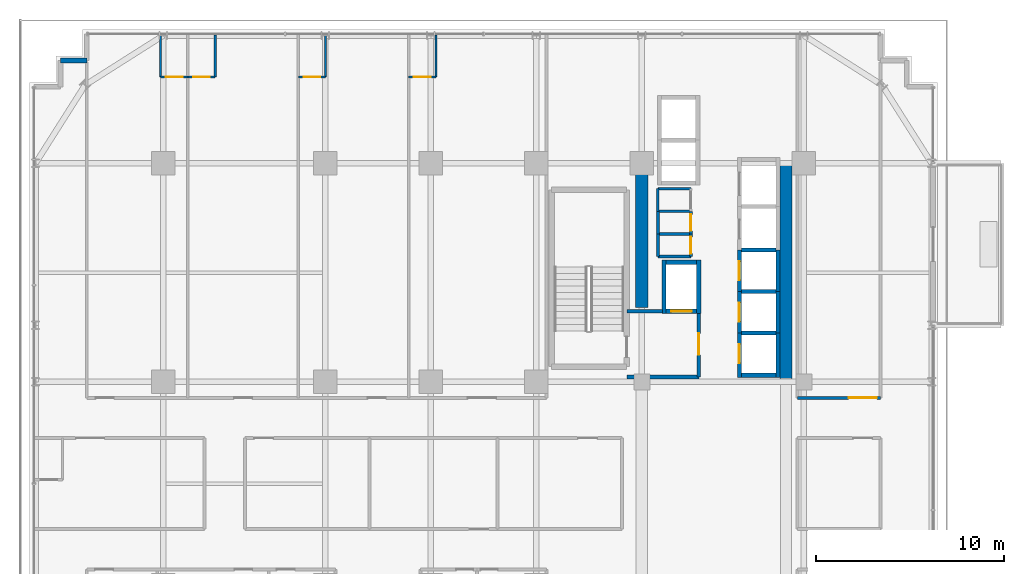
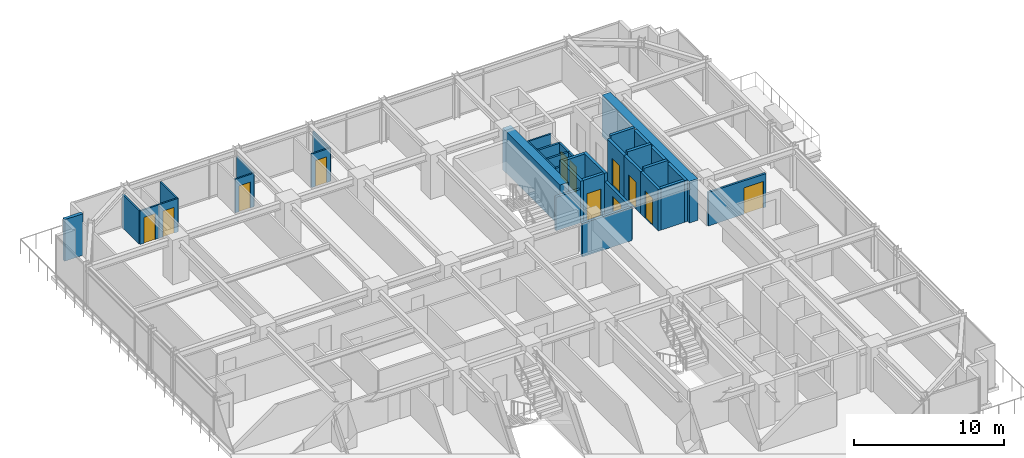
# One storey, part 29 of 34: 38 walls, 12 doors, 12 openings.
"""IFC4 building model written with IfcOpenShell, lengths in metres."""

from ifc_helpers import new_model, si_unit, direction, frame, frame_2d, origin, place, context, subcontext, project, spatial, rectangle, extrude, source, transform, mapped, material, layer, layer_set, type_object, element, fill, save


model = new_model("IFC4")

# Units and contexts
model_context = context("Model", 3, precision=1e-05, world=origin(), true_north=direction((0.0, 1.0)))
body_context = subcontext(model_context, "Body", "Model", "MODEL_VIEW")
ifc_project = project(units=[si_unit("LENGTHUNIT", "METRE"), si_unit("AREAUNIT", "SQUARE_METRE"), si_unit("VOLUMEUNIT", "CUBIC_METRE"), si_unit("PLANEANGLEUNIT", "RADIAN"), si_unit("MASSUNIT", "GRAM", prefix="KILO")], contexts=[model_context])

# Site, building, storey
site_placement = place(None, origin())
site = spatial("IfcSite", under=ifc_project, at=site_placement, CompositionType="ELEMENT")
building_placement = place(site_placement, origin())
building = spatial("IfcBuilding", under=site, at=building_placement, Name="Nahalor Promenade Grand Hotel", CompositionType="ELEMENT")
storey_placement = place(building_placement, frame((0.0, 0.0, 88.300048828125)))
storey = spatial("IfcBuildingStorey", under=building, at=storey_placement, Name="L21", CompositionType="ELEMENT", Elevation=88.300048828125)

# Walls
ifc_material_1 = material(Name="Concrete B-60 (C50/60)", Category="concrete")
ifc_layer_1 = layer(ifc_material_1, 0.64990234375)
ifc_layer_set_1 = layer_set([ifc_layer_1], Name="Concrete B-60 (C50/60)")
wall_type_1 = type_object("IfcWallType", Name="Wall-CoreShear-650", PredefinedType="SHEAR", material=ifc_layer_set_1)
shared_shape_1 = source(origin(), body_context, "Body", "SweptSolid", [
    extrude(rectangle(XDim=7.64990234375, YDim=0.64990234375, at=frame_2d((3.824951171875, 0.0))), origin(), (0.0, 0.0, 1.0), 3.3798828125),
])
wall_1_placement = place(storey_placement, frame((8.39990234375, 9.35009765625, 0.0), z_axis=(0.0, 0.0, 1.0), x_axis=(0.0, 1.0, 0.0)))
element("IfcWall", 1, at=wall_1_placement, inside=storey, type_object=wall_type_1, Name="CWALL-L21-NW", PredefinedType="SHEAR", context=body_context, shape_type="MappedRepresentation", body=[
    mapped(shared_shape_1, transform((0.0, 0.0, 0.0), scale=1.0)),
])
shared_shape_2 = source(origin(), body_context, "Body", "SweptSolid", [
    extrude(rectangle(XDim=11.60009765625, YDim=0.64990234375, at=frame_2d((5.800048828125, 0.0))), origin(), (0.0, 0.0, 1.0), 3.3798828125),
])
wall_2_placement = place(storey_placement, frame((16.050048828125, 5.39990234375, 0.0), z_axis=(0.0, 0.0, 1.0), x_axis=(0.0, 1.0, 0.0)))
element("IfcWall", 2, at=wall_2_placement, inside=storey, type_object=wall_type_1, Name="CWALL-L21-NE", PredefinedType="SHEAR", context=body_context, shape_type="MappedRepresentation", body=[
    mapped(shared_shape_2, transform((0.0, 0.0, 0.0), scale=1.0)),
])
ifc_material_2 = material(Name="Concrete B-50 (C40/50)", Category="concrete")
ifc_layer_2 = layer(ifc_material_2, 0.219970703125)
ifc_layer_set_2 = layer_set([ifc_layer_2], Name="Concrete B-50 (C40/50)")
wall_type_2 = type_object("IfcWallType", Name="Wall-LiftShaft-220", PredefinedType="SHEAR", material=ifc_layer_set_2)
shared_shape_3 = source(origin(), body_context, "Body", "SweptSolid", [
    extrude(rectangle(XDim=1.820068359375, YDim=0.219970703125, at=frame_2d((0.91015625, 0.0))), origin(), (0.0, 0.0, 1.0), 3.64990234375),
])
for number, where, z_axis, x_axis, name in (
    (3, (13.68994140625, 8.0, 0.0), (0.0, 0.0, 1.0), (1.0, 0.0, 0.0), "L21 Lift PL1 Hoistway Wall N"),
    (4, (13.68994140625, 10.199951171875, 0.0), (0.0, 0.0, 1.0), (1.0, 0.0, 0.0), "L21 Lift PL2 Hoistway Wall N"),
    (5, (13.68994140625, 12.39990234375, 0.0), (0.0, 0.0, 1.0), (1.0, 0.0, 0.0), "L21 Lift PL3 Hoistway Wall N"),
):
    element("IfcWall", number, at=place(storey_placement, frame(where, z_axis=z_axis, x_axis=x_axis)), inside=storey, type_object=wall_type_2, Name=name, PredefinedType="SHEAR", context=body_context, shape_type="MappedRepresentation", body=[
        mapped(shared_shape_3, transform((0.0, 0.0, 0.0), scale=1.0)),
    ])

# Wall, opening, door
shared_shape_4 = source(origin(), body_context, "Body", "SweptSolid", [
    extrude(rectangle(XDim=2.360107421875, YDim=0.219970703125, at=frame_2d((1.18017578125, 0.0))), origin(), (0.0, 0.0, 1.0), 3.3798828125),
])
wall_3_placement = place(storey_placement, frame((13.580078125, 5.639892578125, 0.0), z_axis=(0.0, 0.0, 1.0), x_axis=(0.0, 1.0, 0.0)))
wall_3 = element("IfcWall", 6, at=wall_3_placement, inside=storey, type_object=wall_type_2, Name="L21 Lift PL1 Hoistway Wall W", PredefinedType="SHEAR", context=body_context, shape_type="MappedRepresentation", body=[
    mapped(shared_shape_4, transform((0.0, 0.0, 0.0), scale=1.0)),
])
opening_1_placement = place(wall_3_placement, frame((0.760009765625, 0.0, 0.0)))
opening_1 = element("IfcOpeningElement", 7, at=opening_1_placement, cuts=wall_3, Name="Opening LD-01", PredefinedType="OPENING", context=body_context, shape_type="SweptSolid", body=[
    extrude(rectangle(XDim=1.0, YDim=2.199951171875, at=frame_2d((0.5, 1.10009765625))), frame((0.0, 0.119873046875, 0.0), z_axis=(0.0, -1.0, 0.0), x_axis=(1.0, 0.0, 0.0)), (0.0, 0.0, 1.0), 0.239990234375),
])
ifc_material_3 = material(Name="Steel S355JR", Category="steel")
door_type_1 = type_object("IfcDoorType", Name="Door-LiftLanding-1000", OperationType="DOUBLE_DOOR_SLIDING", PredefinedType="DOOR", material=ifc_material_3)
shared_shape_5 = source(origin(), body_context, "Body", "SweptSolid", [
    extrude(rectangle(XDim=1.0, YDim=2.199951171875, at=frame_2d((0.5, 1.10009765625))), frame((0.0, 0.02490234375, 0.0), z_axis=(0.0, -1.0, 0.0), x_axis=(1.0, 0.0, 0.0)), (0.0, 0.0, 1.0), 0.050048828125),
])
door_1_placement = place(opening_1_placement, origin())
door_1 = element("IfcDoor", 8, at=door_1_placement, inside=storey, type_object=door_type_1, Name="DR-LIFT-PL1-L21", OperationType="DOUBLE_DOOR_SLIDING", OverallHeight=2.199951171875, OverallWidth=1.0, PredefinedType="DOOR", context=body_context, shape_type="MappedRepresentation", body=[
    mapped(shared_shape_5, transform((0.0, 0.0, 0.0), scale=1.0)),
])
fill(opening_1, door_1)

# Walls
wall_4_placement = place(storey_placement, frame((15.6201171875, 5.639892578125, 0.0), z_axis=(0.0, 0.0, 1.0), x_axis=(0.0, 1.0, 0.0)))
element("IfcWall", 9, at=wall_4_placement, inside=storey, type_object=wall_type_2, Name="L21 Lift PL1 Hoistway Wall E", PredefinedType="SHEAR", context=body_context, shape_type="MappedRepresentation", body=[
    mapped(shared_shape_4, transform((0.0, 0.0, 0.0), scale=1.0)),
])
shared_shape_6 = source(origin(), body_context, "Body", "SweptSolid", [
    extrude(rectangle(XDim=1.820068359375, YDim=0.219970703125, at=frame_2d((0.91015625, 0.0))), origin(), (0.0, 0.0, 1.0), 3.3798828125),
])
wall_5_placement = place(storey_placement, frame((13.68994140625, 5.75, 0.0), z_axis=(0.0, 0.0, 1.0), x_axis=(1.0, 0.0, 0.0)))
element("IfcWall", 10, at=wall_5_placement, inside=storey, type_object=wall_type_2, Name="L21 Lift PL1 Hoistway Wall S", PredefinedType="SHEAR", context=body_context, shape_type="MappedRepresentation", body=[
    mapped(shared_shape_6, transform((0.0, 0.0, 0.0), scale=1.0)),
])

# Wall, opening, door
shared_shape_7 = source(origin(), body_context, "Body", "SweptSolid", [
    extrude(rectangle(XDim=2.199951171875, YDim=0.219970703125, at=frame_2d((1.10009765625, 0.0))), origin(), (0.0, 0.0, 1.0), 3.3798828125),
])
wall_6_placement = place(storey_placement, frame((13.580078125, 8.0, 0.0), z_axis=(0.0, 0.0, 1.0), x_axis=(0.0, 1.0, 0.0)))
wall_6 = element("IfcWall", 11, at=wall_6_placement, inside=storey, type_object=wall_type_2, Name="L21 Lift PL2 Hoistway Wall W", PredefinedType="SHEAR", context=body_context, shape_type="MappedRepresentation", body=[
    mapped(shared_shape_7, transform((0.0, 0.0, 0.0), scale=1.0)),
])
opening_2_placement = place(wall_6_placement, frame((0.60009765625, 0.0, 0.0)))
opening_2 = element("IfcOpeningElement", 12, at=opening_2_placement, cuts=wall_6, Name="Opening LD-01", PredefinedType="OPENING", context=body_context, shape_type="SweptSolid", body=[
    extrude(rectangle(XDim=1.0, YDim=2.199951171875, at=frame_2d((0.5, 1.10009765625))), frame((0.0, 0.119873046875, 0.0), z_axis=(0.0, -1.0, 0.0), x_axis=(1.0, 0.0, 0.0)), (0.0, 0.0, 1.0), 0.239990234375),
])
door_2_placement = place(opening_2_placement, origin())
door_2 = element("IfcDoor", 13, at=door_2_placement, inside=storey, type_object=door_type_1, Name="DR-LIFT-PL2-L21", OperationType="DOUBLE_DOOR_SLIDING", OverallHeight=2.199951171875, OverallWidth=1.0, PredefinedType="DOOR", context=body_context, shape_type="MappedRepresentation", body=[
    mapped(shared_shape_5, transform((0.0, 0.0, 0.0), scale=1.0)),
])
fill(opening_2, door_2)

# Wall
wall_7_placement = place(storey_placement, frame((15.6201171875, 8.0, 0.0), z_axis=(0.0, 0.0, 1.0), x_axis=(0.0, 1.0, 0.0)))
element("IfcWall", 14, at=wall_7_placement, inside=storey, type_object=wall_type_2, Name="L21 Lift PL2 Hoistway Wall E", PredefinedType="SHEAR", context=body_context, shape_type="MappedRepresentation", body=[
    mapped(shared_shape_7, transform((0.0, 0.0, 0.0), scale=1.0)),
])

# Wall, opening, door
wall_8_placement = place(storey_placement, frame((13.580078125, 10.199951171875, 0.0), z_axis=(0.0, 0.0, 1.0), x_axis=(0.0, 1.0, 0.0)))
wall_8 = element("IfcWall", 15, at=wall_8_placement, inside=storey, type_object=wall_type_2, Name="L21 Lift PL3 Hoistway Wall W", PredefinedType="SHEAR", context=body_context, shape_type="MappedRepresentation", body=[
    mapped(shared_shape_7, transform((0.0, 0.0, 0.0), scale=1.0)),
])
opening_3_placement = place(wall_8_placement, frame((0.60009765625, 0.0, 0.0)))
opening_3 = element("IfcOpeningElement", 16, at=opening_3_placement, cuts=wall_8, Name="Opening LD-01", PredefinedType="OPENING", context=body_context, shape_type="SweptSolid", body=[
    extrude(rectangle(XDim=1.0, YDim=2.199951171875, at=frame_2d((0.5, 1.10009765625))), frame((0.0, 0.119873046875, 0.0), z_axis=(0.0, -1.0, 0.0), x_axis=(1.0, 0.0, 0.0)), (0.0, 0.0, 1.0), 0.239990234375),
])
door_3_placement = place(opening_3_placement, origin())
door_3 = element("IfcDoor", 17, at=door_3_placement, inside=storey, type_object=door_type_1, Name="DR-LIFT-PL3-L21", OperationType="DOUBLE_DOOR_SLIDING", OverallHeight=2.199951171875, OverallWidth=1.0, PredefinedType="DOOR", context=body_context, shape_type="MappedRepresentation", body=[
    mapped(shared_shape_5, transform((0.0, 0.0, 0.0), scale=1.0)),
])
fill(opening_3, door_3)

# Walls
wall_9_placement = place(storey_placement, frame((15.6201171875, 10.199951171875, 0.0), z_axis=(0.0, 0.0, 1.0), x_axis=(0.0, 1.0, 0.0)))
element("IfcWall", 18, at=wall_9_placement, inside=storey, type_object=wall_type_2, Name="L21 Lift PL3 Hoistway Wall E", PredefinedType="SHEAR", context=body_context, shape_type="MappedRepresentation", body=[
    mapped(shared_shape_7, transform((0.0, 0.0, 0.0), scale=1.0)),
])
shared_shape_8 = source(origin(), body_context, "Body", "SweptSolid", [
    extrude(rectangle(XDim=2.820068359375, YDim=0.219970703125, at=frame_2d((1.41015625, 0.0))), origin(), (0.0, 0.0, 1.0), 3.3798828125),
])
for number, where, z_axis, x_axis, name in (
    (19, (9.580078125, 9.0400390625, 0.0), (0.0, 0.0, 1.0), (0.0, 1.0, 0.0), "L21 Lift FL1 Hoistway Wall W"),
    (20, (11.419921875, 9.0400390625, 0.0), (0.0, 0.0, 1.0), (0.0, 1.0, 0.0), "L21 Lift FL1 Hoistway Wall E"),
):
    element("IfcWall", number, at=place(storey_placement, frame(where, z_axis=z_axis, x_axis=x_axis)), inside=storey, type_object=wall_type_2, Name=name, PredefinedType="SHEAR", context=body_context, shape_type="MappedRepresentation", body=[
        mapped(shared_shape_8, transform((0.0, 0.0, 0.0), scale=1.0)),
    ])

# Wall, opening, door
shared_shape_9 = source(origin(), body_context, "Body", "SweptSolid", [
    extrude(rectangle(XDim=1.6201171875, YDim=0.219970703125, at=frame_2d((0.81005859375, 0.0))), origin(), (0.0, 0.0, 1.0), 3.3798828125),
])
wall_10_placement = place(storey_placement, frame((9.68994140625, 9.14990234375, 0.0), z_axis=(0.0, 0.0, 1.0), x_axis=(1.0, 0.0, 0.0)))
wall_10 = element("IfcWall", 21, at=wall_10_placement, inside=storey, type_object=wall_type_2, Name="L21 Lift FL1 Hoistway Wall S", PredefinedType="SHEAR", context=body_context, shape_type="MappedRepresentation", body=[
    mapped(shared_shape_9, transform((0.0, 0.0, 0.0), scale=1.0)),
])
opening_4_placement = place(wall_10_placement, frame((0.260009765625, 0.0, 0.0)))
opening_4 = element("IfcOpeningElement", 22, at=opening_4_placement, cuts=wall_10, Name="Opening LD-02", PredefinedType="OPENING", context=body_context, shape_type="SweptSolid", body=[
    extrude(rectangle(XDim=1.10009765625, YDim=2.199951171875, at=frame_2d((0.550048828125, 1.10009765625))), frame((0.0, 0.119873046875, 0.0), z_axis=(0.0, -1.0, 0.0), x_axis=(1.0, 0.0, 0.0)), (0.0, 0.0, 1.0), 0.239990234375),
])
door_type_2 = type_object("IfcDoorType", Name="Door-LiftFF-1100", OperationType="DOUBLE_DOOR_SLIDING", PredefinedType="DOOR", material=ifc_material_3)
shared_shape_10 = source(origin(), body_context, "Body", "SweptSolid", [
    extrude(rectangle(XDim=1.10009765625, YDim=2.199951171875, at=frame_2d((0.550048828125, 1.10009765625))), frame((0.0, 0.02490234375, 0.0), z_axis=(0.0, -1.0, 0.0), x_axis=(1.0, 0.0, 0.0)), (0.0, 0.0, 1.0), 0.050048828125),
])
door_4_placement = place(opening_4_placement, frame((1.10009765625, 0.0, 0.0), z_axis=(0.0, 0.0, 1.0), x_axis=(-1.0, 0.0, 0.0)))
door_4 = element("IfcDoor", 23, at=door_4_placement, inside=storey, type_object=door_type_2, Name="DR-LIFT-FL1-L21", OperationType="DOUBLE_DOOR_SLIDING", OverallHeight=2.199951171875, OverallWidth=1.10009765625, PredefinedType="DOOR", context=body_context, shape_type="MappedRepresentation", body=[
    mapped(shared_shape_10, transform((0.0, 0.0, 0.0), scale=1.0)),
])
fill(opening_4, door_4)

# Walls
wall_11_placement = place(storey_placement, frame((9.68994140625, 11.75, 0.0), z_axis=(0.0, 0.0, 1.0), x_axis=(1.0, 0.0, 0.0)))
element("IfcWall", 24, at=wall_11_placement, inside=storey, type_object=wall_type_2, Name="L21 Lift FL1 Hoistway Wall N", PredefinedType="SHEAR", context=body_context, shape_type="MappedRepresentation", body=[
    mapped(shared_shape_9, transform((0.0, 0.0, 0.0), scale=1.0)),
])
ifc_material_4 = material(Name="Concrete B-40 (C32/40)", Category="concrete")
ifc_layer_3 = layer(ifc_material_4, 0.25)
ifc_layer_set_3 = layer_set([ifc_layer_3], Name="Concrete B-40 (C32/40)")
wall_type_3 = type_object("IfcWallType", Name="Wall-BronzePier-250", PredefinedType="STANDARD", material=ifc_layer_set_3)
shared_shape_11 = source(origin(), body_context, "Body", "SweptSolid", [
    extrude(rectangle(XDim=1.39990234375, YDim=0.25, at=frame_2d((0.699951171875, 0.0))), origin(), (0.0, 0.0, 1.0), 3.3798828125),
])
wall_12_placement = place(storey_placement, frame((-22.4599609375, 22.4599609375, 0.0), z_axis=(0.0, 0.0, 1.0), x_axis=(1.0, 0.0, 0.0)))
element("IfcWall", 25, at=wall_12_placement, inside=storey, type_object=wall_type_3, Name="W-L21-SR-10", PredefinedType="STANDARD", context=body_context, shape_type="MappedRepresentation", body=[
    mapped(shared_shape_11, transform((0.0, 0.0, 0.0), scale=1.0)),
])
ifc_layer_4 = layer(ifc_material_4, 0.199951171875)
ifc_layer_set_4 = layer_set([ifc_layer_4], Name="Concrete B-40 (C32/40)")
wall_type_4 = type_object("IfcWallType", Name="Wall-PartFire-200", PredefinedType="PARTITIONING", material=ifc_layer_set_4)
shared_shape_12 = source(origin(), body_context, "Body", "SweptSolid", [
    extrude(rectangle(XDim=3.81982421875, YDim=0.199951171875, at=frame_2d((1.909912109375, 0.0))), origin(), (0.0, 0.0, 1.0), 2.719970703125),
])
wall_13_placement = place(storey_placement, frame((7.60009765625, 5.64990234375, 0.0), z_axis=(0.0, 0.0, 1.0), x_axis=(1.0, 0.0, 0.0)))
element("IfcWall", 26, at=wall_13_placement, inside=storey, type_object=wall_type_4, Name="W-L21-FF1-S", PredefinedType="PARTITIONING", context=body_context, shape_type="MappedRepresentation", body=[
    mapped(shared_shape_12, transform((0.0, 0.0, 0.0), scale=1.0)),
])
shared_shape_13 = source(origin(), body_context, "Body", "SweptSolid", [
    extrude(rectangle(XDim=1.89990234375, YDim=0.199951171875, at=frame_2d((0.949951171875, 0.0))), origin(), (0.0, 0.0, 1.0), 2.719970703125),
])
wall_14_placement = place(storey_placement, frame((7.60009765625, 9.14990234375, 0.0), z_axis=(0.0, 0.0, 1.0), x_axis=(1.0, 0.0, 0.0)))
element("IfcWall", 27, at=wall_14_placement, inside=storey, type_object=wall_type_4, Name="W-L21-FF1-N", PredefinedType="PARTITIONING", context=body_context, shape_type="MappedRepresentation", body=[
    mapped(shared_shape_13, transform((0.0, 0.0, 0.0), scale=1.0)),
])

# Wall, opening, door
shared_shape_14 = source(origin(), body_context, "Body", "SweptSolid", [
    extrude(rectangle(XDim=3.5, YDim=0.199951171875, at=frame_2d((1.75, 0.0))), origin(), (0.0, 0.0, 1.0), 2.719970703125),
])
wall_15_placement = place(storey_placement, frame((11.419921875, 5.64990234375, 0.0), z_axis=(0.0, 0.0, 1.0), x_axis=(0.0, 1.0, 0.0)))
wall_15 = element("IfcWall", 28, at=wall_15_placement, inside=storey, type_object=wall_type_4, Name="W-L21-FF1-E", PredefinedType="PARTITIONING", context=body_context, shape_type="MappedRepresentation", body=[
    mapped(shared_shape_14, transform((0.0, 0.0, 0.0), scale=1.0)),
])
opening_5_placement = place(wall_15_placement, frame((1.175048828125, 0.0, 0.0)))
opening_5 = element("IfcOpeningElement", 29, at=opening_5_placement, cuts=wall_15, Name="Opening D-FF1", PredefinedType="OPENING", context=body_context, shape_type="SweptSolid", body=[
    extrude(rectangle(XDim=1.14990234375, YDim=2.14990234375, at=frame_2d((0.574951171875, 1.074951171875))), frame((0.0, 0.10986328125, 0.0), z_axis=(0.0, -1.0, 0.0), x_axis=(1.0, 0.0, 0.0)), (0.0, 0.0, 1.0), 0.219970703125),
])
door_type_3 = type_object("IfcDoorType", Name="Door-FFLobby-1150", OperationType="NOTDEFINED", PredefinedType="DOOR", material=ifc_material_3)
shared_shape_15 = source(origin(), body_context, "Body", "SweptSolid", [
    extrude(rectangle(XDim=1.14990234375, YDim=2.14990234375, at=frame_2d((0.574951171875, 1.074951171875))), frame((0.0, 0.02490234375, 0.0), z_axis=(0.0, -1.0, 0.0), x_axis=(1.0, 0.0, 0.0)), (0.0, 0.0, 1.0), 0.050048828125),
])
door_5_placement = place(opening_5_placement, frame((1.14990234375, 0.0, 0.0), z_axis=(0.0, 0.0, 1.0), x_axis=(-1.0, 0.0, 0.0)))
door_5 = element("IfcDoor", 30, at=door_5_placement, inside=storey, type_object=door_type_3, Name="DR-L21-FFL1", OperationType="SINGLE_SWING_LEFT", OverallHeight=2.14990234375, OverallWidth=1.14990234375, PredefinedType="DOOR", context=body_context, shape_type="MappedRepresentation", body=[
    mapped(shared_shape_15, transform((0.0, 0.0, 0.0), scale=1.0)),
])
fill(opening_5, door_5)

# Walls
ifc_material_5 = material(Name="Acoustic Mineral Gypsum", Category="gypsum")
ifc_layer_5 = layer(ifc_material_5, 0.14990234375)
ifc_layer_set_5 = layer_set([ifc_layer_5], Name="Acoustic Mineral Gypsum")
wall_type_5 = type_object("IfcWallType", Name="Wall-PartService-150", PredefinedType="PARTITIONING", material=ifc_layer_set_5)
shared_shape_16 = source(origin(), body_context, "Body", "SweptSolid", [
    extrude(rectangle(XDim=1.75, YDim=0.14990234375, at=frame_2d((0.875, 0.0))), origin(), (0.0, 0.0, 1.0), 2.719970703125),
])
for number, where, z_axis, x_axis, name in (
    (31, (9.25, 12.050048828125, 0.0), (0.0, 0.0, 1.0), (1.0, 0.0, 0.0), "W-L21-CK3A-S"),
    (32, (9.25, 13.25, 0.0), (0.0, 0.0, 1.0), (1.0, 0.0, 0.0), "W-L21-CK3A-N"),
    (33, (9.25, 14.449951171875, 0.0), (0.0, 0.0, 1.0), (1.0, 0.0, 0.0), "W-L21-CK3B-N"),
):
    element("IfcWall", number, at=place(storey_placement, frame(where, z_axis=z_axis, x_axis=x_axis)), inside=storey, type_object=wall_type_5, Name=name, PredefinedType="PARTITIONING", context=body_context, shape_type="MappedRepresentation", body=[
        mapped(shared_shape_16, transform((0.0, 0.0, 0.0), scale=1.0)),
    ])
shared_shape_17 = source(origin(), body_context, "Body", "SweptSolid", [
    extrude(rectangle(XDim=1.199951171875, YDim=0.14990234375, at=frame_2d((0.60009765625, 0.0))), origin(), (0.0, 0.0, 1.0), 2.719970703125),
])
wall_16_placement = place(storey_placement, frame((9.25, 12.050048828125, 0.0), z_axis=(0.0, 0.0, 1.0), x_axis=(0.0, 1.0, 0.0)))
element("IfcWall", 34, at=wall_16_placement, inside=storey, type_object=wall_type_5, Name="W-L21-CK3A-W", PredefinedType="PARTITIONING", context=body_context, shape_type="MappedRepresentation", body=[
    mapped(shared_shape_17, transform((0.0, 0.0, 0.0), scale=1.0)),
])

# Wall, opening, door
wall_17_placement = place(storey_placement, frame((11.0, 12.050048828125, 0.0), z_axis=(0.0, 0.0, 1.0), x_axis=(0.0, 1.0, 0.0)))
wall_17 = element("IfcWall", 35, at=wall_17_placement, inside=storey, type_object=wall_type_5, Name="W-L21-CK3A-E", PredefinedType="PARTITIONING", context=body_context, shape_type="MappedRepresentation", body=[
    mapped(shared_shape_17, transform((0.0, 0.0, 0.0), scale=1.0)),
])
opening_6_placement = place(wall_17_placement, frame((0.159912109375, 0.0, 0.0)))
opening_6 = element("IfcOpeningElement", 36, at=opening_6_placement, cuts=wall_17, Name="Opening D-03", PredefinedType="OPENING", context=body_context, shape_type="SweptSolid", body=[
    extrude(rectangle(XDim=0.8798828125, YDim=2.10009765625, at=frame_2d((0.43994140625, 1.050048828125))), frame((0.0, 0.0849609375, 0.0), z_axis=(0.0, -1.0, 0.0), x_axis=(1.0, 0.0, 0.0)), (0.0, 0.0, 1.0), 0.169921875),
])
ifc_material_6 = material(Name="Fire-Rated Timber Composite", Category="wood")
door_type_4 = type_object("IfcDoorType", Name="Door-BathSwing-880", OperationType="NOTDEFINED", PredefinedType="DOOR", material=ifc_material_6)
shared_shape_18 = source(origin(), body_context, "Body", "SweptSolid", [
    extrude(rectangle(XDim=0.8798828125, YDim=2.10009765625, at=frame_2d((0.43994140625, 1.050048828125))), frame((0.0, 0.02490234375, 0.0), z_axis=(0.0, -1.0, 0.0), x_axis=(1.0, 0.0, 0.0)), (0.0, 0.0, 1.0), 0.050048828125),
])
door_6_placement = place(opening_6_placement, origin())
door_6 = element("IfcDoor", 37, at=door_6_placement, inside=storey, type_object=door_type_4, Name="DR-L21-CK3A", OperationType="SINGLE_SWING_LEFT", OverallHeight=2.10009765625, OverallWidth=0.8798828125, PredefinedType="DOOR", context=body_context, shape_type="MappedRepresentation", body=[
    mapped(shared_shape_18, transform((0.0, 0.0, 0.0), scale=1.0)),
])
fill(opening_6, door_6)

# Wall
wall_18_placement = place(storey_placement, frame((9.25, 13.25, 0.0), z_axis=(0.0, 0.0, 1.0), x_axis=(0.0, 1.0, 0.0)))
element("IfcWall", 38, at=wall_18_placement, inside=storey, type_object=wall_type_5, Name="W-L21-CK3B-W", PredefinedType="PARTITIONING", context=body_context, shape_type="MappedRepresentation", body=[
    mapped(shared_shape_17, transform((0.0, 0.0, 0.0), scale=1.0)),
])

# Wall, opening, door
wall_19_placement = place(storey_placement, frame((11.0, 13.25, 0.0), z_axis=(0.0, 0.0, 1.0), x_axis=(0.0, 1.0, 0.0)))
wall_19 = element("IfcWall", 39, at=wall_19_placement, inside=storey, type_object=wall_type_5, Name="W-L21-CK3B-E", PredefinedType="PARTITIONING", context=body_context, shape_type="MappedRepresentation", body=[
    mapped(shared_shape_17, transform((0.0, 0.0, 0.0), scale=1.0)),
])
opening_7_placement = place(wall_19_placement, frame((0.159912109375, 0.0, 0.0)))
opening_7 = element("IfcOpeningElement", 40, at=opening_7_placement, cuts=wall_19, Name="Opening D-03", PredefinedType="OPENING", context=body_context, shape_type="SweptSolid", body=[
    extrude(rectangle(XDim=0.8798828125, YDim=2.10009765625, at=frame_2d((0.43994140625, 1.050048828125))), frame((0.0, 0.0849609375, 0.0), z_axis=(0.0, -1.0, 0.0), x_axis=(1.0, 0.0, 0.0)), (0.0, 0.0, 1.0), 0.169921875),
])
door_7_placement = place(opening_7_placement, origin())
door_7 = element("IfcDoor", 41, at=door_7_placement, inside=storey, type_object=door_type_4, Name="DR-L21-CK3B", OperationType="SINGLE_SWING_RIGHT", OverallHeight=2.10009765625, OverallWidth=0.8798828125, PredefinedType="DOOR", context=body_context, shape_type="MappedRepresentation", body=[
    mapped(shared_shape_18, transform((0.0, 0.0, 0.0), scale=1.0)),
])
fill(opening_7, door_7)

# Walls
ifc_layer_6 = layer(ifc_material_5, 0.1201171875)
ifc_layer_set_6 = layer_set([ifc_layer_6], Name="Acoustic Mineral Gypsum")
wall_type_6 = type_object("IfcWallType", Name="Wall-PartBath-120", PredefinedType="PARTITIONING", material=ifc_layer_set_6)
shared_shape_19 = source(origin(), body_context, "Body", "SweptSolid", [
    extrude(rectangle(XDim=1.75, YDim=0.1201171875, at=frame_2d((0.875, 0.0))), origin(), (0.0, 0.0, 1.0), 2.719970703125),
])
wall_20_placement = place(storey_placement, frame((9.25, 15.64990234375, 0.0), z_axis=(0.0, 0.0, 1.0), x_axis=(1.0, 0.0, 0.0)))
element("IfcWall", 42, at=wall_20_placement, inside=storey, type_object=wall_type_6, Name="W-L21-CK3C-N", PredefinedType="PARTITIONING", context=body_context, shape_type="MappedRepresentation", body=[
    mapped(shared_shape_19, transform((0.0, 0.0, 0.0), scale=1.0)),
])
shared_shape_20 = source(origin(), body_context, "Body", "SweptSolid", [
    extrude(rectangle(XDim=1.199951171875, YDim=0.1201171875, at=frame_2d((0.60009765625, 0.0))), origin(), (0.0, 0.0, 1.0), 2.719970703125),
])
wall_21_placement = place(storey_placement, frame((9.25, 14.449951171875, 0.0), z_axis=(0.0, 0.0, 1.0), x_axis=(0.0, 1.0, 0.0)))
element("IfcWall", 43, at=wall_21_placement, inside=storey, type_object=wall_type_6, Name="W-L21-CK3C-W", PredefinedType="PARTITIONING", context=body_context, shape_type="MappedRepresentation", body=[
    mapped(shared_shape_20, transform((0.0, 0.0, 0.0), scale=1.0)),
])

# Wall, opening, door
ifc_layer_7 = layer(ifc_material_5, 0.159912109375)
ifc_layer_set_7 = layer_set([ifc_layer_7], Name="Acoustic Mineral Gypsum")
wall_type_7 = type_object("IfcWallType", Name="Wall-PartCorridor-160", PredefinedType="PARTITIONING", material=ifc_layer_set_7)
shared_shape_21 = source(origin(), body_context, "Body", "SweptSolid", [
    extrude(rectangle(XDim=4.41015625, YDim=0.159912109375, at=frame_2d((2.205078125, 0.0))), origin(), (0.0, 0.0, 1.0), 2.719970703125),
])
wall_22_placement = place(storey_placement, frame((16.64990234375, 4.550048828125, 0.0), z_axis=(0.0, 0.0, 1.0), x_axis=(1.0, 0.0, 0.0)))
wall_22 = element("IfcWall", 44, at=wall_22_placement, inside=storey, type_object=wall_type_7, Name="W-L21-ENE-S", PredefinedType="PARTITIONING", context=body_context, shape_type="MappedRepresentation", body=[
    mapped(shared_shape_21, transform((0.0, 0.0, 0.0), scale=1.0)),
])
opening_8_placement = place(wall_22_placement, frame((2.721923828125, 0.0, 0.0)))
opening_8 = element("IfcOpeningElement", 45, at=opening_8_placement, cuts=wall_22, Name="Opening D-02", PredefinedType="OPENING", context=body_context, shape_type="SweptSolid", body=[
    extrude(rectangle(XDim=1.5, YDim=2.14990234375, at=frame_2d((0.75, 1.074951171875))), frame((0.0, 0.08984375, 0.0), z_axis=(0.0, -1.0, 0.0), x_axis=(1.0, 0.0, 0.0)), (0.0, 0.0, 1.0), 0.179931640625),
])
door_type_5 = type_object("IfcDoorType", Name="Door-SuiteDouble-1500", OperationType="DOUBLE_DOOR_SINGLE_SWING", PredefinedType="DOOR", material=ifc_material_6)
shared_shape_22 = source(origin(), body_context, "Body", "SweptSolid", [
    extrude(rectangle(XDim=1.5, YDim=2.14990234375, at=frame_2d((0.75, 1.074951171875))), frame((0.0, 0.02490234375, 0.0), z_axis=(0.0, -1.0, 0.0), x_axis=(1.0, 0.0, 0.0)), (0.0, 0.0, 1.0), 0.050048828125),
])
door_8_placement = place(opening_8_placement, origin())
door_8 = element("IfcDoor", 46, at=door_8_placement, inside=storey, type_object=door_type_5, Name="DR-L21-ENE", OperationType="DOUBLE_DOOR_SINGLE_SWING", OverallHeight=2.14990234375, OverallWidth=1.5, PredefinedType="DOOR", context=body_context, shape_type="MappedRepresentation", body=[
    mapped(shared_shape_22, transform((0.0, 0.0, 0.0), scale=1.0)),
])
fill(opening_8, door_8)

shared_shape_23 = source(origin(), body_context, "Body", "SweptSolid", [
    extrude(rectangle(XDim=1.4501953125, YDim=0.1201171875, at=frame_2d((0.72509765625, 0.0))), origin(), (0.0, 0.0, 1.0), 2.719970703125),
])
wall_23_placement = place(storey_placement, frame((-17.14208984375, 21.580078125, 0.0), z_axis=(0.0, 0.0, 1.0), x_axis=(1.0, 0.0, 0.0)))
wall_23 = element("IfcWall", 47, at=wall_23_placement, inside=storey, type_object=wall_type_6, Name="W-L21-N1-BH", PredefinedType="PARTITIONING", context=body_context, shape_type="MappedRepresentation", body=[
    mapped(shared_shape_23, transform((0.0, 0.0, 0.0), scale=1.0)),
])
opening_9_placement = place(wall_23_placement, frame((0.284912109375, 0.0, 0.0)))
opening_9 = element("IfcOpeningElement", 48, at=opening_9_placement, cuts=wall_23, Name="Opening D-03", PredefinedType="OPENING", context=body_context, shape_type="SweptSolid", body=[
    extrude(rectangle(XDim=0.8798828125, YDim=2.10009765625, at=frame_2d((0.43994140625, 1.050048828125))), frame((0.0, 0.070068359375, 0.0), z_axis=(0.0, -1.0, 0.0), x_axis=(1.0, 0.0, 0.0)), (0.0, 0.0, 1.0), 0.14013671875),
])
door_9_placement = place(opening_9_placement, origin())
door_9 = element("IfcDoor", 49, at=door_9_placement, inside=storey, type_object=door_type_4, Name="DR-L21-N1-BATH", OperationType="SINGLE_SWING_RIGHT", OverallHeight=2.10009765625, OverallWidth=0.8798828125, PredefinedType="DOOR", context=body_context, shape_type="MappedRepresentation", body=[
    mapped(shared_shape_18, transform((0.0, 0.0, 0.0), scale=1.0)),
])
fill(opening_9, door_9)

# Walls
shared_shape_24 = source(origin(), body_context, "Body", "SweptSolid", [
    extrude(rectangle(XDim=2.219970703125, YDim=0.1201171875, at=frame_2d((1.10986328125, 0.0))), origin(), (0.0, 0.0, 1.0), 2.719970703125),
])
for number, where, z_axis, x_axis, name in (
    (50, (-17.14208984375, 21.580078125, 0.0), (0.0, 0.0, 1.0), (0.0, 1.0, 0.0), "W-L21-N1-BV"),
    (51, (-14.241943359375, 21.580078125, 0.0), (0.0, 0.0, 1.0), (0.0, 1.0, 0.0), "W-L21-N2-BV"),
    (52, (-8.385986328125, 21.580078125, 0.0), (0.0, 0.0, 1.0), (0.0, 1.0, 0.0), "W-L21-N3-BV"),
    (53, (-2.530029296875, 21.580078125, 0.0), (0.0, 0.0, 1.0), (0.0, 1.0, 0.0), "W-L21-N4-BV"),
):
    element("IfcWall", number, at=place(storey_placement, frame(where, z_axis=z_axis, x_axis=x_axis)), inside=storey, type_object=wall_type_6, Name=name, PredefinedType="PARTITIONING", context=body_context, shape_type="MappedRepresentation", body=[
        mapped(shared_shape_24, transform((0.0, 0.0, 0.0), scale=1.0)),
    ])

# Wall, opening, door
shared_shape_25 = source(origin(), body_context, "Body", "SweptSolid", [
    extrude(rectangle(XDim=1.449951171875, YDim=0.1201171875, at=frame_2d((0.72509765625, 0.0))), origin(), (0.0, 0.0, 1.0), 2.719970703125),
])
wall_24_placement = place(storey_placement, frame((-15.69189453125, 21.580078125, 0.0), z_axis=(0.0, 0.0, 1.0), x_axis=(1.0, 0.0, 0.0)))
wall_24 = element("IfcWall", 54, at=wall_24_placement, inside=storey, type_object=wall_type_6, Name="W-L21-N2-BH", PredefinedType="PARTITIONING", context=body_context, shape_type="MappedRepresentation", body=[
    mapped(shared_shape_25, transform((0.0, 0.0, 0.0), scale=1.0)),
])
opening_10_placement = place(wall_24_placement, frame((0.284912109375, 0.0, 0.0)))
opening_10 = element("IfcOpeningElement", 55, at=opening_10_placement, cuts=wall_24, Name="Opening D-03", PredefinedType="OPENING", context=body_context, shape_type="SweptSolid", body=[
    extrude(rectangle(XDim=0.8798828125, YDim=2.10009765625, at=frame_2d((0.43994140625, 1.050048828125))), frame((0.0, 0.070068359375, 0.0), z_axis=(0.0, -1.0, 0.0), x_axis=(1.0, 0.0, 0.0)), (0.0, 0.0, 1.0), 0.14013671875),
])
door_10_placement = place(opening_10_placement, origin())
door_10 = element("IfcDoor", 56, at=door_10_placement, inside=storey, type_object=door_type_4, Name="DR-L21-N2-BATH", OperationType="SINGLE_SWING_RIGHT", OverallHeight=2.10009765625, OverallWidth=0.8798828125, PredefinedType="DOOR", context=body_context, shape_type="MappedRepresentation", body=[
    mapped(shared_shape_18, transform((0.0, 0.0, 0.0), scale=1.0)),
])
fill(opening_10, door_10)

wall_25_placement = place(storey_placement, frame((-9.8359375, 21.580078125, 0.0), z_axis=(0.0, 0.0, 1.0), x_axis=(1.0, 0.0, 0.0)))
wall_25 = element("IfcWall", 57, at=wall_25_placement, inside=storey, type_object=wall_type_6, Name="W-L21-N3-BH", PredefinedType="PARTITIONING", context=body_context, shape_type="MappedRepresentation", body=[
    mapped(shared_shape_25, transform((0.0, 0.0, 0.0), scale=1.0)),
])
opening_11_placement = place(wall_25_placement, frame((0.284912109375, 0.0, 0.0)))
opening_11 = element("IfcOpeningElement", 58, at=opening_11_placement, cuts=wall_25, Name="Opening D-03", PredefinedType="OPENING", context=body_context, shape_type="SweptSolid", body=[
    extrude(rectangle(XDim=0.8798828125, YDim=2.10009765625, at=frame_2d((0.43994140625, 1.050048828125))), frame((0.0, 0.070068359375, 0.0), z_axis=(0.0, -1.0, 0.0), x_axis=(1.0, 0.0, 0.0)), (0.0, 0.0, 1.0), 0.14013671875),
])
door_11_placement = place(opening_11_placement, origin())
door_11 = element("IfcDoor", 59, at=door_11_placement, inside=storey, type_object=door_type_4, Name="DR-L21-N3-BATH", OperationType="SINGLE_SWING_RIGHT", OverallHeight=2.10009765625, OverallWidth=0.8798828125, PredefinedType="DOOR", context=body_context, shape_type="MappedRepresentation", body=[
    mapped(shared_shape_18, transform((0.0, 0.0, 0.0), scale=1.0)),
])
fill(opening_11, door_11)

wall_26_placement = place(storey_placement, frame((-3.97998046875, 21.580078125, 0.0), z_axis=(0.0, 0.0, 1.0), x_axis=(1.0, 0.0, 0.0)))
wall_26 = element("IfcWall", 60, at=wall_26_placement, inside=storey, type_object=wall_type_6, Name="W-L21-N4-BH", PredefinedType="PARTITIONING", context=body_context, shape_type="MappedRepresentation", body=[
    mapped(shared_shape_25, transform((0.0, 0.0, 0.0), scale=1.0)),
])
opening_12_placement = place(wall_26_placement, frame((0.284912109375, 0.0, 0.0)))
opening_12 = element("IfcOpeningElement", 61, at=opening_12_placement, cuts=wall_26, Name="Opening D-03", PredefinedType="OPENING", context=body_context, shape_type="SweptSolid", body=[
    extrude(rectangle(XDim=0.8798828125, YDim=2.10009765625, at=frame_2d((0.43994140625, 1.050048828125))), frame((0.0, 0.070068359375, 0.0), z_axis=(0.0, -1.0, 0.0), x_axis=(1.0, 0.0, 0.0)), (0.0, 0.0, 1.0), 0.14013671875),
])
door_12_placement = place(opening_12_placement, origin())
door_12 = element("IfcDoor", 62, at=door_12_placement, inside=storey, type_object=door_type_4, Name="DR-L21-N4-BATH", OperationType="SINGLE_SWING_RIGHT", OverallHeight=2.10009765625, OverallWidth=0.8798828125, PredefinedType="DOOR", context=body_context, shape_type="MappedRepresentation", body=[
    mapped(shared_shape_18, transform((0.0, 0.0, 0.0), scale=1.0)),
])
fill(opening_12, door_12)

save(model, "model.ifc")
